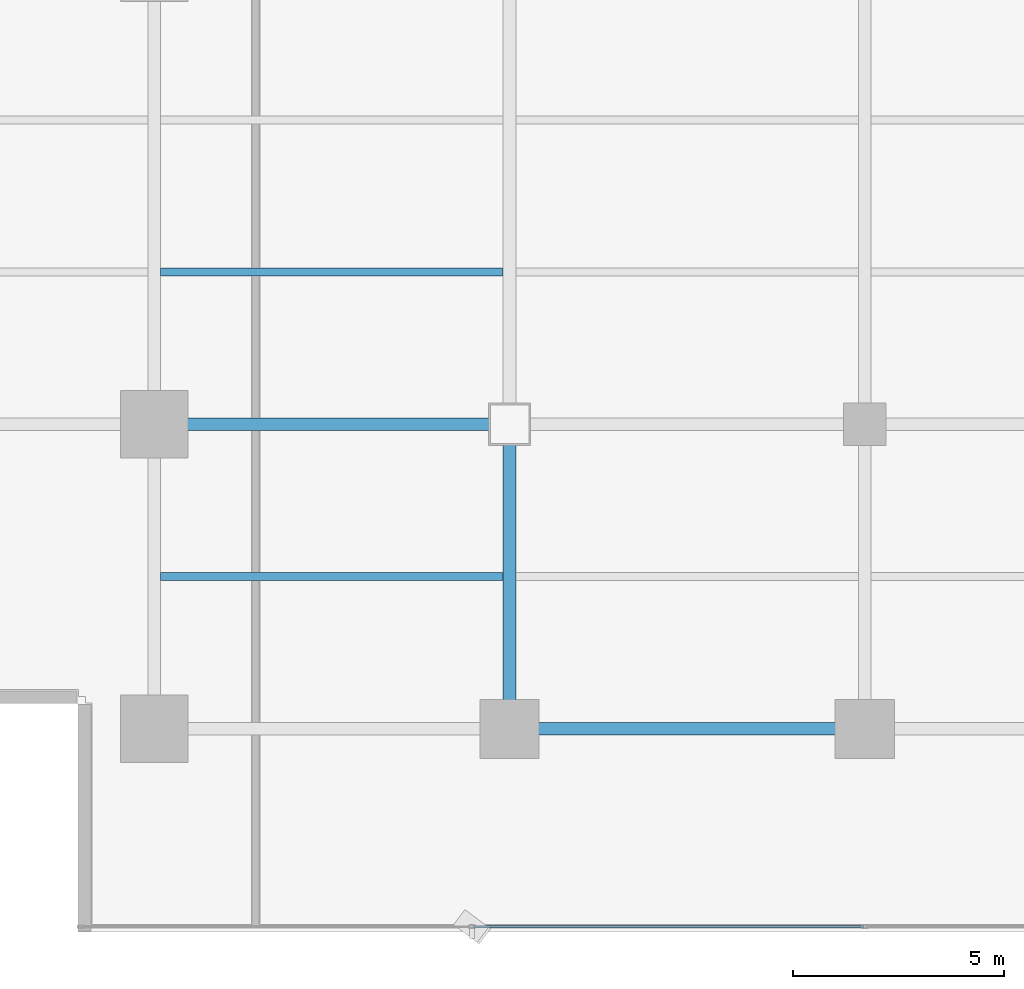
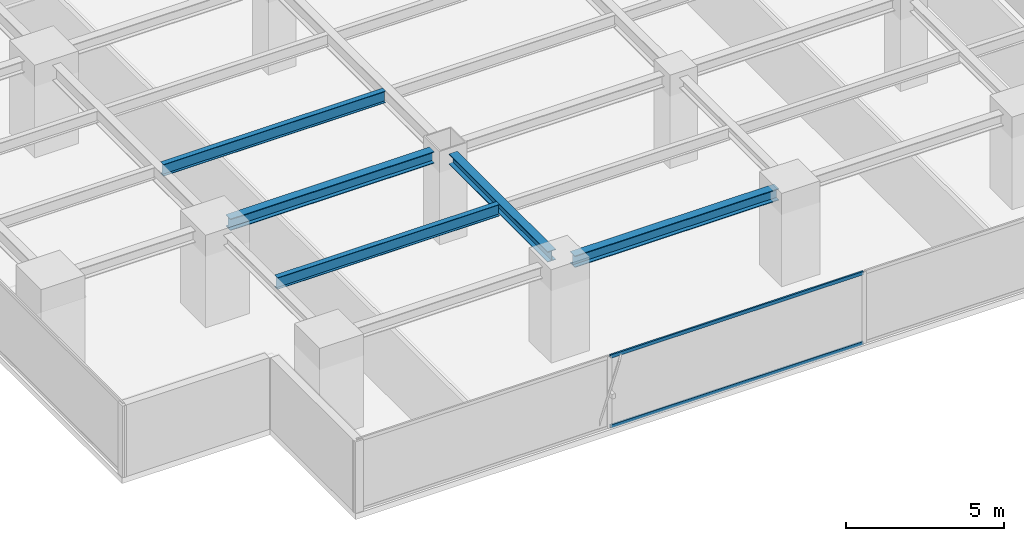
# One storey, part 4 of 27: 5 beams, 2 members, 1 element without a shape of its own.
"""IFC4 building model written with IfcOpenShell, lengths in metres."""

import ifcopenshell
import ifcopenshell.guid

model = None  # the IFC model being written
_history = None  # IfcOwnerHistory: only IFC2X3 demands one
_inside = {}  # id of a spatial element -> (the spatial element, [elements in it])
_under = {}  # id of a project, library or spatial element -> (it, [spatial elements below it])
_declared = {}  # id of a project -> (the project, [libraries it declares])
_typed = {}  # id of a type object -> (the type object, [elements of that type])
_made_of = {}  # id of a material, layer set ... -> (it, [elements and type objects made of it])


def new_model(schema):
    """Start an empty IFC model of exactly this schema.

    Asked for "IFC4X3", IfcOpenShell would pick the latest addendum, in which some entities
    have other attributes; the version numbers below select the first issue.
    IFC2X3 requires an IfcOwnerHistory on every rooted entity: one is made here for all.
    """
    global model, _history
    if schema == "IFC4X3":
        model = ifcopenshell.file(schema_version=(4, 3, 0, 0))
    else:
        model = ifcopenshell.file(schema=schema)
    _inside.clear()
    _under.clear()
    _declared.clear()
    _typed.clear()
    _made_of.clear()
    _history = None
    if model.schema == "IFC2X3":
        org = make("IfcOrganization", Name="unknown")
        user = make(
            "IfcPersonAndOrganization",
            ThePerson=make("IfcPerson", FamilyName="unknown"),
            TheOrganization=org,
        )
        app = make(
            "IfcApplication",
            ApplicationDeveloper=org,
            Version="unknown",
            ApplicationFullName="unknown",
            ApplicationIdentifier="unknown",
        )
        _history = make(
            "IfcOwnerHistory",
            OwningUser=user,
            OwningApplication=app,
            ChangeAction="ADDED",
            CreationDate=0,
        )
    return model


def make(cls, **values):
    """One entity of the class cls with the attributes given. An attribute that is None is left unset."""
    return model.create_entity(
        cls, **{name: value for name, value in values.items() if value is not None}
    )


def rooted(cls, **values):
    """An entity with a GlobalId (a new one), such as an element, a storey or a relation."""
    return make(cls, GlobalId=ifcopenshell.guid.new(), OwnerHistory=_history, **values)


def si_unit(unit_type, name, prefix=None):
    """IfcSIUnit, for example si_unit("LENGTHUNIT", "METRE", prefix="MILLI")."""
    return make("IfcSIUnit", UnitType=unit_type, Prefix=prefix, Name=name)


def assignment(units):
    """IfcUnitAssignment: the units of a project."""
    return None if units is None else make("IfcUnitAssignment", Units=units)


def point(xyz):
    """IfcCartesianPoint."""
    return None if xyz is None else make("IfcCartesianPoint", Coordinates=xyz)


def direction(xyz):
    """IfcDirection."""
    return None if xyz is None else make("IfcDirection", DirectionRatios=xyz)


def frame(location, z_axis=None, x_axis=None):
    """IfcAxis2Placement3D, a coordinate frame: its origin and axes. An axis left out is left unset."""
    return make(
        "IfcAxis2Placement3D",
        Location=point(location),
        Axis=direction(z_axis),
        RefDirection=direction(x_axis),
    )


def frame_2d(location, x_axis=None):
    """IfcAxis2Placement2D, a coordinate frame in the plane: its origin and x axis."""
    return make(
        "IfcAxis2Placement2D", Location=point(location), RefDirection=direction(x_axis)
    )


def origin():
    """The frame at (0, 0, 0) with its axes left unset."""
    return frame((0.0, 0.0, 0.0))


def origin_2d():
    """The frame at (0, 0) in the plane with its x axis left unset."""
    return frame_2d((0.0, 0.0))


def place(relative_to, where):
    """IfcLocalPlacement: puts the frame where relative to a parent placement (None: the world)."""
    return make(
        "IfcLocalPlacement", PlacementRelTo=relative_to, RelativePlacement=where
    )


def context(
    kind, dimensions, precision=None, world=None, true_north=None, identifier=None
):
    """IfcGeometricRepresentationContext, for example the 3D "Model" context."""
    return make(
        "IfcGeometricRepresentationContext",
        ContextIdentifier=identifier,
        ContextType=kind,
        CoordinateSpaceDimension=dimensions,
        Precision=precision,
        WorldCoordinateSystem=world,
        TrueNorth=true_north,
    )


def subcontext(parent, identifier, kind, view, scale=None):
    """IfcGeometricRepresentationSubContext, for example "Body" below "Model"."""
    return make(
        "IfcGeometricRepresentationSubContext",
        ContextIdentifier=identifier,
        ContextType=kind,
        ParentContext=parent,
        TargetScale=scale,
        TargetView=view,
    )


def project(units=None, contexts=None):
    """IfcProject with its units and contexts."""
    return rooted(
        "IfcProject",
        Name="project",
        RepresentationContexts=contexts,
        UnitsInContext=assignment(units),
    )


def spatial(cls, under=None, at=None, **own):
    """A site, building, storey or space (cls), placed at a placement, below another one or the project."""
    s = rooted(cls, ObjectPlacement=at, **own)
    if under is not None:
        _under.setdefault(under.id(), (under, []))[1].append(s)
    return s


def profile(cls, at=None, kind="AREA", **sizes):
    """A parametric profile (cls). Its sizes go by their IFC names, for example OverallWidth=200.0."""
    return make(cls, ProfileType=kind, Position=at, **sizes)


def hollow_rectangle(**sizes):
    """IfcRectangleHollowProfileDef."""
    return profile("IfcRectangleHollowProfileDef", **sizes)


def i_section(**sizes):
    """IfcIShapeProfileDef."""
    return profile("IfcIShapeProfileDef", **sizes)


def extrude(swept, where, along, depth):
    """IfcExtrudedAreaSolid: the profile swept, set in the frame where, extruded along a direction by depth."""
    return make(
        "IfcExtrudedAreaSolid",
        SweptArea=swept,
        Position=where,
        ExtrudedDirection=direction(along),
        Depth=depth,
    )


def shape(context_of_items, identifier, shape_type, items):
    """IfcShapeRepresentation: the items that make up one representation, for example the "Body"."""
    return make(
        "IfcShapeRepresentation",
        ContextOfItems=context_of_items,
        RepresentationIdentifier=identifier,
        RepresentationType=shape_type,
        Items=items,
    )


def source(mapping_origin, context_of_items, identifier, shape_type, items):
    """IfcRepresentationMap: a shape defined once, which mapped items show again and again."""
    return make(
        "IfcRepresentationMap",
        MappingOrigin=mapping_origin,
        MappedRepresentation=shape(context_of_items, identifier, shape_type, items),
    )


def transform(
    local_origin,
    x_axis=None,
    y_axis=None,
    z_axis=None,
    scale=None,
    scale2=None,
    scale3=None,
    uniform=True,
):
    """IfcCartesianTransformationOperator3D, or its non-uniform kind. x_axis, y_axis, z_axis: its Axis1, 2, 3."""
    if uniform:
        return make(
            "IfcCartesianTransformationOperator3D",
            Axis1=direction(x_axis),
            Axis2=direction(y_axis),
            LocalOrigin=point(local_origin),
            Scale=scale,
            Axis3=direction(z_axis),
        )
    return make(
        "IfcCartesianTransformationOperator3DnonUniform",
        Axis1=direction(x_axis),
        Axis2=direction(y_axis),
        LocalOrigin=point(local_origin),
        Scale=scale,
        Axis3=direction(z_axis),
        Scale2=scale2,
        Scale3=scale3,
    )


def mapped(mapping_source, mapping_target):
    """IfcMappedItem: shows the shape of a source again, moved by a transform."""
    return make(
        "IfcMappedItem", MappingSource=mapping_source, MappingTarget=mapping_target
    )


def material(Name=None, Category=None):
    """IfcMaterial."""
    return make("IfcMaterial", Name=Name, Category=Category)


def layer(
    of_material, thickness, ventilated=None, Name=None, Category=None, Priority=None
):
    """IfcMaterialLayer: one layer of a wall or slab, of a material (None: an air gap)."""
    return make(
        "IfcMaterialLayer",
        Material=of_material,
        LayerThickness=thickness,
        IsVentilated=ventilated,
        Name=Name,
        Category=Category,
        Priority=Priority,
    )


def layer_set(layers, Name=None):
    """IfcMaterialLayerSet."""
    return make("IfcMaterialLayerSet", MaterialLayers=layers, LayerSetName=Name)


def material_profile(
    of_material, cross_section, Name=None, Category=None, Priority=None
):
    """IfcMaterialProfile: a cross section and its material."""
    return make(
        "IfcMaterialProfile",
        Name=Name,
        Material=of_material,
        Profile=cross_section,
        Priority=Priority,
        Category=Category,
    )


def profile_set(profiles, Name=None, composite=None):
    """IfcMaterialProfileSet."""
    return make(
        "IfcMaterialProfileSet",
        Name=Name,
        MaterialProfiles=profiles,
        CompositeProfile=composite,
    )


def made_of(thing, what):
    """Note that an element or type object is made of a material, layer set ...; save() writes the relation."""
    if what is not None:
        _made_of.setdefault(what.id(), (what, []))[1].append(thing)
    return thing


def type_object(cls, material=None, **own):
    """A type object (cls), such as IfcWallType, which elements share."""
    return made_of(rooted(cls, **own), material)


def element(
    cls,
    number,
    at=None,
    inside=None,
    cuts=None,
    type_object=None,
    material=None,
    context=None,
    identifier="Body",
    shape_type=None,
    held_by="IfcProductDefinitionShape",
    body=None,
    shapes=None,
    **own,
):
    """One element of the class cls, such as IfcWall. Its Tag is "e" and its number.

    at: its placement. inside: the storey or other place that contains it. cuts: it is an
    opening in that element (IfcRelVoidsElement). A single representation is given by context,
    identifier, shape_type and body (its items); several are given by shapes. held_by: the class
    of the entity that holds the representations. save() writes the other relations.
    """
    e = rooted(cls, Tag="e%d" % number, ObjectPlacement=at, **own)
    if body is not None:
        shapes = [shape(context, identifier, shape_type, body)]
    if shapes is not None:
        e.Representation = make(held_by, Representations=shapes)
    if inside is not None:
        _inside.setdefault(inside.id(), (inside, []))[1].append(e)
    if cuts is not None:
        rooted(
            "IfcRelVoidsElement", RelatingBuildingElement=cuts, RelatedOpeningElement=e
        )
    if type_object is not None:
        _typed.setdefault(type_object.id(), (type_object, []))[1].append(e)
    return made_of(e, material)


def aggregate(whole, parts):
    """IfcRelAggregates: a whole, such as a stair, and the parts it consists of."""
    return rooted("IfcRelAggregates", RelatingObject=whole, RelatedObjects=parts)


def save(model, path):
    """Write the relations noted so far, then the file.

    IfcRelAggregates (storeys below a building ...), IfcRelContainedInSpatialStructure (elements
    in a storey), IfcRelDefinesByType, IfcRelAssociatesMaterial and IfcRelDeclares: one each for
    every whole, place, type object, material and project.
    """
    for whole, parts in _under.values():
        aggregate(whole, parts)
    for where, things in _inside.values():
        rooted(
            "IfcRelContainedInSpatialStructure",
            RelatedElements=things,
            RelatingStructure=where,
        )
    for kind, things in _typed.values():
        rooted("IfcRelDefinesByType", RelatedObjects=things, RelatingType=kind)
    for what, things in _made_of.values():
        rooted("IfcRelAssociatesMaterial", RelatedObjects=things, RelatingMaterial=what)
    for by, libraries in _declared.values():
        rooted("IfcRelDeclares", RelatingContext=by, RelatedDefinitions=libraries)
    model.write(path)


model = new_model("IFC4")

# Units and contexts
model_context = context("Model", 3, precision=1e-05, world=origin(), true_north=direction((0.0, 1.0)))
body_context = subcontext(model_context, "Body", "Model", "MODEL_VIEW")
ifc_project = project(units=[si_unit("LENGTHUNIT", "METRE"), si_unit("AREAUNIT", "SQUARE_METRE"), si_unit("VOLUMEUNIT", "CUBIC_METRE"), si_unit("PLANEANGLEUNIT", "RADIAN"), si_unit("MASSUNIT", "GRAM", prefix="KILO")], contexts=[model_context])

# Site, building, storey
site_placement = place(None, origin())
site = spatial("IfcSite", under=ifc_project, at=site_placement, CompositionType="ELEMENT")
building_placement = place(site_placement, origin())
building = spatial("IfcBuilding", under=site, at=building_placement, Name="Sumidabori Civic Tower", CompositionType="ELEMENT")
storey_placement = place(building_placement, frame((0.0, 0.0, 160.39990234375)))
storey = spatial("IfcBuildingStorey", under=building, at=storey_placement, Name="L41", CompositionType="ELEMENT", Elevation=160.39990234375)

# Beams
ifc_material_1 = material(Name="Steel SN490", Category="steel")
ifc_material_profile_1 = material_profile(ifc_material_1, i_section(OverallWidth=0.300048828125, OverallDepth=0.39990234375, WebThickness=0.013427734375, FlangeThickness=0.02392578125, at=origin_2d()), Name="HE 400 B")
ifc_profile_set_1 = profile_set([ifc_material_profile_1], Name="Steel SN490")
beam_type_1 = type_object("IfcBeamType", Name="BM-GIRD-400", PredefinedType="BEAM", material=ifc_profile_set_1)
shared_shape_1 = source(origin(), body_context, "Body", "SweptSolid", [
    extrude(i_section(OverallWidth=0.300048828125, OverallDepth=0.39990234375, WebThickness=0.013427734375, FlangeThickness=0.02392578125, at=origin_2d()), origin(), (0.0, 0.0, 1.0), 6.239990234375),
])
beam_1_placement = place(storey_placement, frame((-8.39990234375, -17.52001953125, 3.18017578125), z_axis=(0.0, 1.0, 0.0), x_axis=(-1.0, 0.0, 0.0)))
element("IfcBeam", 1, at=beam_1_placement, inside=storey, type_object=beam_type_1, Name="Primary Girder L41 GY-26", PredefinedType="BEAM", context=body_context, shape_type="MappedRepresentation", body=[
    mapped(shared_shape_1, transform((0.0, 0.0, 0.0), x_axis=(1.0, 0.0, 0.0), y_axis=(0.0, 1.0, 0.0), z_axis=(0.0, 0.0, 1.0), scale=1.0)),
])
ifc_material_profile_2 = material_profile(ifc_material_1, i_section(OverallWidth=0.18994140625, OverallDepth=0.449951171875, WebThickness=0.009521484375, FlangeThickness=0.0146484375, at=origin_2d()), Name="IPE 450")
ifc_profile_set_2 = profile_set([ifc_material_profile_2], Name="Steel SN490")
beam_type_2 = type_object("IfcBeamType", Name="BM-JST-450", PredefinedType="JOIST", material=ifc_profile_set_2)
shared_shape_2 = source(origin(), body_context, "Body", "SweptSolid", [
    extrude(i_section(OverallWidth=0.18994140625, OverallDepth=0.449951171875, WebThickness=0.009521484375, FlangeThickness=0.0146484375, at=origin_2d()), origin(), (0.0, 0.0, 1.0), 8.099853515625),
])
for number, where, z_axis, x_axis, name in (
    (2, (-16.64990234375, -14.39990234375, 3.155029296875), (1.0, 0.0, 0.0), (0.0, 1.0, 0.0), "South Bay Floor Joist L41 JSTS-49"),
    (3, (-16.64990234375, -7.199951171875, 3.155029296875), (1.0, 0.0, 0.0), (0.0, 1.0, 0.0), "South Bay Floor Joist L41 JSTS-53"),
):
    element("IfcBeam", number, at=place(storey_placement, frame(where, z_axis=z_axis, x_axis=x_axis)), inside=storey, type_object=beam_type_2, Name=name, PredefinedType="JOIST", context=body_context, shape_type="MappedRepresentation", body=[
        mapped(shared_shape_2, transform((0.0, 0.0, 0.0), x_axis=(1.0, 0.0, 0.0), y_axis=(0.0, 1.0, 0.0), z_axis=(0.0, 0.0, 1.0), scale=1.0)),
    ])
ifc_material_profile_3 = material_profile(ifc_material_1, i_section(OverallWidth=0.300048828125, OverallDepth=0.449951171875, WebThickness=0.013916015625, FlangeThickness=0.02587890625, at=origin_2d()), Name="HE 450 B")
ifc_profile_set_3 = profile_set([ifc_material_profile_3], Name="Steel SN490")
beam_type_3 = type_object("IfcBeamType", Name="BM-GIRD-450", PredefinedType="BEAM", material=ifc_profile_set_3)
shared_shape_3 = source(origin(), body_context, "Body", "SweptSolid", [
    extrude(i_section(OverallWidth=0.300048828125, OverallDepth=0.449951171875, WebThickness=0.013916015625, FlangeThickness=0.02587890625, at=origin_2d()), origin(), (0.0, 0.0, 1.0), 7.440185546875),
])
beam_2_placement = place(storey_placement, frame((-16.320068359375, -10.800048828125, 3.155029296875), z_axis=(1.0, 0.0, 0.0), x_axis=(0.0, 1.0, 0.0)))
element("IfcBeam", 4, at=beam_2_placement, inside=storey, type_object=beam_type_3, Name="Primary Girder L41 GX-06", PredefinedType="BEAM", context=body_context, shape_type="MappedRepresentation", body=[
    mapped(shared_shape_3, transform((0.0, 0.0, 0.0), x_axis=(1.0, 0.0, 0.0), y_axis=(0.0, 1.0, 0.0), z_axis=(0.0, 0.0, 1.0), scale=1.0)),
])
shared_shape_4 = source(origin(), body_context, "Body", "SweptSolid", [
    extrude(i_section(OverallWidth=0.300048828125, OverallDepth=0.449951171875, WebThickness=0.013916015625, FlangeThickness=0.02587890625, at=origin_2d()), origin(), (0.0, 0.0, 1.0), 7.43994140625),
])
beam_3_placement = place(storey_placement, frame((-7.919921875, -18.0, 3.155029296875), z_axis=(1.0, 0.0, 0.0), x_axis=(0.0, 1.0, 0.0)))
element("IfcBeam", 5, at=beam_3_placement, inside=storey, type_object=beam_type_3, Name="Primary Girder L41 GX-02", PredefinedType="BEAM", context=body_context, shape_type="MappedRepresentation", body=[
    mapped(shared_shape_4, transform((0.0, 0.0, 0.0), x_axis=(1.0, 0.0, 0.0), y_axis=(0.0, 1.0, 0.0), z_axis=(0.0, 0.0, 1.0), scale=1.0)),
])

# Curtain wall, members
ifc_material_2 = material(Name="Anodised Bronze Aluminium AW-6063-T6", Category="aluminium")
ifc_layer = layer(ifc_material_2, 0.179931640625, Name="Anodised Bronze Aluminium AW-6063-T6")
ifc_layer_set = layer_set([ifc_layer], Name="Anodised Bronze Aluminium AW-6063-T6")
curtain_wall_type = type_object("IfcCurtainWallType", Name="CW-SYS-3", PredefinedType="NOTDEFINED", material=ifc_layer_set)
curtain_wall_placement = place(storey_placement, origin())
curtain_wall = element("IfcCurtainWall", 6, at=curtain_wall_placement, inside=storey, type_object=curtain_wall_type, Name="Curtain Wall CW:L41:R01", PredefinedType="NOTDEFINED")
ifc_material_profile_4 = material_profile(ifc_material_2, hollow_rectangle(XDim=0.06005859375, YDim=0.1298828125, WallThickness=0.0048828125, at=origin_2d()), Name="ALU TRANSOM 130x60")
ifc_profile_set_4 = profile_set([ifc_material_profile_4], Name="Anodised Bronze Aluminium AW-6063-T6")
member_type = type_object("IfcMemberType", Name="CW-TRN-130", PredefinedType="USERDEFINED", material=ifc_profile_set_4)
shared_shape_5 = source(origin(), body_context, "Body", "SweptSolid", [
    extrude(hollow_rectangle(XDim=0.06005859375, YDim=0.1298828125, WallThickness=0.0048828125, at=origin_2d()), origin(), (0.0, 0.0, 1.0), 9.219970703125),
])
member_1_placement = place(storey_placement, frame((-9.25244140625, -22.679931640625, 0.030029296875), z_axis=(1.0, 0.0, 0.0), x_axis=(0.0, 1.0, 0.0)))
member_1 = element("IfcMember", 7, at=member_1_placement, type_object=member_type, Name="CW-3 transom 2.1", ObjectType="TRANSOM", PredefinedType="USERDEFINED", context=body_context, shape_type="MappedRepresentation", body=[
    mapped(shared_shape_5, transform((0.0, 0.0, 0.0), x_axis=(1.0, 0.0, 0.0), y_axis=(0.0, 1.0, 0.0), z_axis=(0.0, 0.0, 1.0), scale=1.0)),
])
member_2_placement = place(storey_placement, frame((-9.25244140625, -22.679931640625, 2.72998046875), z_axis=(1.0, 0.0, 0.0), x_axis=(0.0, 1.0, 0.0)))
member_2 = element("IfcMember", 8, at=member_2_placement, type_object=member_type, Name="CW-3 transom 2.2", ObjectType="TRANSOM", PredefinedType="USERDEFINED", context=body_context, shape_type="MappedRepresentation", body=[
    mapped(shared_shape_5, transform((0.0, 0.0, 0.0), x_axis=(1.0, 0.0, 0.0), y_axis=(0.0, 1.0, 0.0), z_axis=(0.0, 0.0, 1.0), scale=1.0)),
])
aggregate(curtain_wall, [member_1, member_2])

save(model, "model.ifc")
